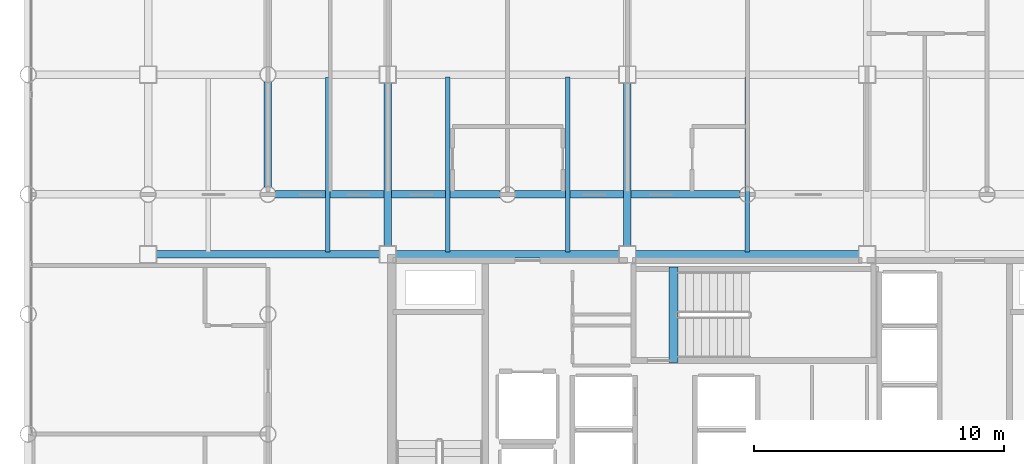
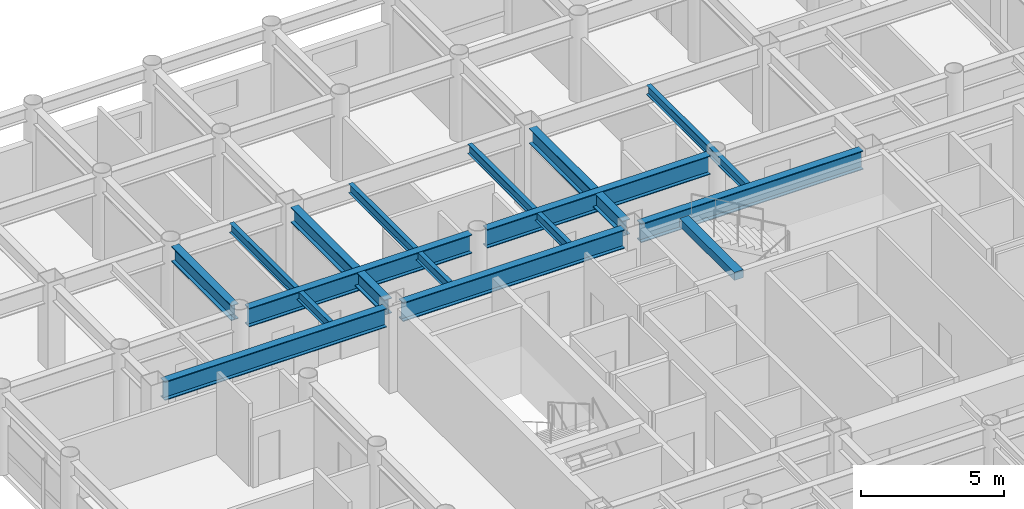
# One storey, part 5 of 22: 13 beams.
"""IFC4 building model written with IfcOpenShell, lengths in metres."""

from ifc_helpers import new_model, si_unit, direction, frame, origin, origin_2d, place, context, subcontext, project, spatial, rectangle, i_section, extrude, material, material_profile, profile_set, type_object, element, save


model = new_model("IFC4")

# Units and contexts
model_context = context("Model", 3, precision=1e-05, world=origin(), true_north=direction((0.0, 1.0)))
body_context = subcontext(model_context, "Body", "Model", "MODEL_VIEW")
ifc_project = project(units=[si_unit("LENGTHUNIT", "METRE"), si_unit("AREAUNIT", "SQUARE_METRE"), si_unit("VOLUMEUNIT", "CUBIC_METRE"), si_unit("PLANEANGLEUNIT", "RADIAN"), si_unit("MASSUNIT", "GRAM", prefix="KILO")], contexts=[model_context])

# Site, building, storey
site_placement = place(None, origin())
site = spatial("IfcSite", under=ifc_project, at=site_placement, CompositionType="ELEMENT")
building_placement = place(site_placement, origin())
building = spatial("IfcBuilding", under=site, at=building_placement, Name="Kallvorn Hotel Tower", CompositionType="ELEMENT")
storey_placement = place(building_placement, frame((0.0, 0.0, 113.699951171875)))
storey = spatial("IfcBuildingStorey", under=building, at=storey_placement, Name="L27", CompositionType="ELEMENT", Elevation=113.699951171875)

# Beams
ifc_material_1 = material(Name="Structural steel S355JR", Category="steel")
ifc_material_profile_1 = material_profile(ifc_material_1, i_section(OverallWidth=0.300048828125, OverallDepth=0.64990234375, WebThickness=0.01611328125, FlangeThickness=0.031005859375, at=origin_2d()), Name="HE 650 B")
ifc_profile_set_1 = profile_set([ifc_material_profile_1], Name="Structural steel S355JR")
beam_type_1 = type_object("IfcBeamType", Name="BM_HE650B", PredefinedType="BEAM", material=ifc_profile_set_1)
beam_1_placement = place(storey_placement, frame((-19.199951171875, 9.905029296875, 3.195068359375), z_axis=(0.0, 1.0, 0.0), x_axis=(-1.0, 0.0, 0.0)))
element("IfcBeam", 1, at=beam_1_placement, inside=storey, type_object=beam_type_1, Name="L28 Primary Y-Girder 94", PredefinedType="BEAM", context=body_context, shape_type="SweptSolid", body=[
    extrude(i_section(OverallWidth=0.300048828125, OverallDepth=0.64990234375, WebThickness=0.01611328125, FlangeThickness=0.031005859375, at=origin_2d()), origin(), (0.0, 0.0, 1.0), 4.18994140625),
])
for number, where, z_axis, x_axis, name in (
    (2, (-14.39990234375, 7.52490234375, 3.195068359375), (0.0, 1.0, 0.0), (-1.0, 0.0, 0.0), "L28 Primary Y-Girder 99"),
    (3, (-4.800048828125, 7.52490234375, 3.195068359375), (0.0, 1.0, 0.0), (-1.0, 0.0, 0.0), "L28 Primary Y-Girder 107"),
):
    element("IfcBeam", number, at=place(storey_placement, frame(where, z_axis=z_axis, x_axis=x_axis)), inside=storey, type_object=beam_type_1, Name=name, PredefinedType="BEAM", context=body_context, shape_type="SweptSolid", body=[
        extrude(i_section(OverallWidth=0.300048828125, OverallDepth=0.64990234375, WebThickness=0.01611328125, FlangeThickness=0.031005859375, at=origin_2d()), origin(), (0.0, 0.0, 1.0), 6.550048828125),
    ])
ifc_material_2 = material(Name="Structural steel S355JR", Category="steel")
ifc_material_profile_2 = material_profile(ifc_material_2, i_section(OverallWidth=0.300048828125, OverallDepth=0.800048828125, WebThickness=0.017578125, FlangeThickness=0.032958984375, at=origin_2d()), Name="HE 800 B")
ifc_profile_set_2 = profile_set([ifc_material_profile_2], Name="Structural steel S355JR")
beam_type_2 = type_object("IfcBeamType", Name="BM_HE800B", PredefinedType="BEAM", material=ifc_profile_set_2)
for number, where, z_axis, x_axis, name in (
    (4, (-23.675048828125, 7.199951171875, 3.1201171875), (1.0, 0.0, 0.0), (0.0, 1.0, 0.0), "L28 Primary X-Girder 36"),
    (5, (-14.074951171875, 7.199951171875, 3.1201171875), (1.0, 0.0, 0.0), (0.0, 1.0, 0.0), "L28 Primary X-Girder 37"),
):
    element("IfcBeam", number, at=place(storey_placement, frame(where, z_axis=z_axis, x_axis=x_axis)), inside=storey, type_object=beam_type_2, Name=name, PredefinedType="BEAM", context=body_context, shape_type="SweptSolid", body=[
        extrude(i_section(OverallWidth=0.300048828125, OverallDepth=0.800048828125, WebThickness=0.017578125, FlangeThickness=0.032958984375, at=origin_2d()), origin(), (0.0, 0.0, 1.0), 8.949951171875),
    ])
beam_2_placement = place(storey_placement, frame((-4.47509765625, 7.199951171875, 3.1201171875), z_axis=(1.0, 0.0, 0.0), x_axis=(0.0, 1.0, 0.0)))
element("IfcBeam", 6, at=beam_2_placement, inside=storey, type_object=beam_type_2, Name="L28 Primary X-Girder 38", PredefinedType="BEAM", context=body_context, shape_type="SweptSolid", body=[
    extrude(i_section(OverallWidth=0.300048828125, OverallDepth=0.800048828125, WebThickness=0.017578125, FlangeThickness=0.032958984375, at=origin_2d()), origin(), (0.0, 0.0, 1.0), 8.9501953125),
])
for number, where, z_axis, x_axis, name in (
    (7, (-18.89501953125, 9.60009765625, 3.1201171875), (1.0, 0.0, 0.0), (0.0, 1.0, 0.0), "L28 Primary X-Girder 43"),
    (8, (-9.294921875, 9.60009765625, 3.1201171875), (1.0, 0.0, 0.0), (0.0, 1.0, 0.0), "L28 Primary X-Girder 44"),
):
    element("IfcBeam", number, at=place(storey_placement, frame(where, z_axis=z_axis, x_axis=x_axis)), inside=storey, type_object=beam_type_2, Name=name, PredefinedType="BEAM", context=body_context, shape_type="SweptSolid", body=[
        extrude(i_section(OverallWidth=0.300048828125, OverallDepth=0.800048828125, WebThickness=0.017578125, FlangeThickness=0.032958984375, at=origin_2d()), origin(), (0.0, 0.0, 1.0), 8.989990234375),
    ])
ifc_material_3 = material(Name="Structural steel S355JR", Category="steel")
ifc_material_profile_3 = material_profile(ifc_material_3, i_section(OverallWidth=0.179931640625, OverallDepth=0.39990234375, WebThickness=0.008544921875, FlangeThickness=0.013427734375, at=origin_2d()), Name="IPE 400")
ifc_profile_set_3 = profile_set([ifc_material_profile_3], Name="Structural steel S355JR")
beam_type_3 = type_object("IfcBeamType", Name="BM_IPE400", PredefinedType="JOIST", material=ifc_profile_set_3)
for number, where, z_axis, x_axis, name in (
    (9, (-16.800048828125, 7.300048828125, 3.320068359375), (0.0, 1.0, 0.0), (-1.0, 0.0, 0.0), "L28 Secondary Composite Joist 195"),
    (10, (-12.0, 7.300048828125, 3.320068359375), (0.0, 1.0, 0.0), (-1.0, 0.0, 0.0), "L28 Secondary Composite Joist 197"),
    (11, (-7.199951171875, 7.300048828125, 3.320068359375), (0.0, 1.0, 0.0), (-1.0, 0.0, 0.0), "L28 Secondary Composite Joist 199"),
    (12, (0.0, 7.300048828125, 3.320068359375), (0.0, 1.0, 0.0), (-1.0, 0.0, 0.0), "L28 Secondary Composite Joist 201"),
):
    element("IfcBeam", number, at=place(storey_placement, frame(where, z_axis=z_axis, x_axis=x_axis)), inside=storey, type_object=beam_type_3, Name=name, PredefinedType="JOIST", context=body_context, shape_type="SweptSolid", body=[
        extrude(i_section(OverallWidth=0.179931640625, OverallDepth=0.39990234375, WebThickness=0.008544921875, FlangeThickness=0.013427734375, at=origin_2d()), origin(), (0.0, 0.0, 1.0), 7.0),
    ])
ifc_material_4 = material(Name="Concrete C50/60", Category="concrete")
ifc_material_profile_4 = material_profile(ifc_material_4, rectangle(XDim=0.360107421875, YDim=0.340087890625, at=origin_2d()), Name="RC 360x340")
ifc_profile_set_4 = profile_set([ifc_material_profile_4], Name="Concrete C50/60")
beam_type_4 = type_object("IfcBeamType", Name="BM_RC_400x360", PredefinedType="BEAM", material=ifc_profile_set_4)
beam_3_placement = place(storey_placement, frame((-2.9599609375, 2.8701171875, 3.35009765625), z_axis=(0.0, 1.0, 0.0), x_axis=(-1.0, 0.0, 0.0)))
element("IfcBeam", 13, at=beam_3_placement, inside=storey, type_object=beam_type_4, Name="L28 Stair ST3 Arrival Trimmer Beam", PredefinedType="BEAM", context=body_context, shape_type="SweptSolid", body=[
    extrude(rectangle(XDim=0.360107421875, YDim=0.340087890625, at=origin_2d()), origin(), (0.0, 0.0, 1.0), 3.81982421875),
])

save(model, "model.ifc")
